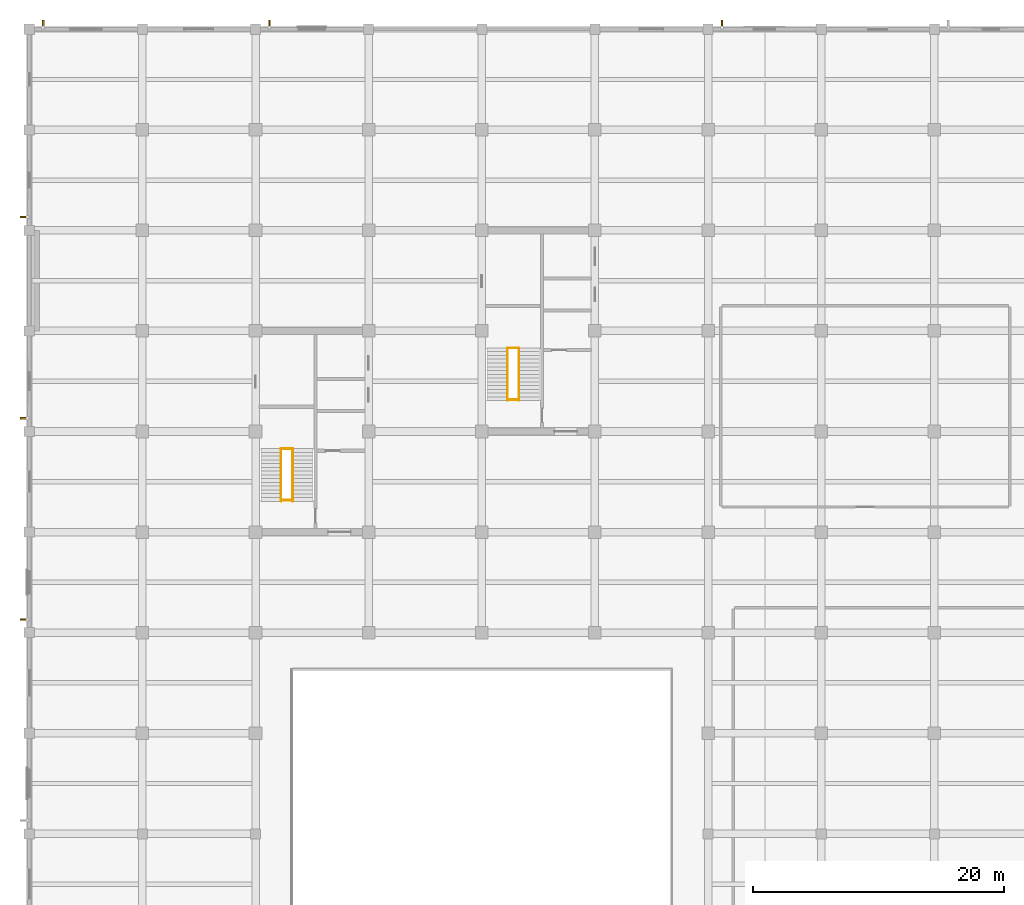
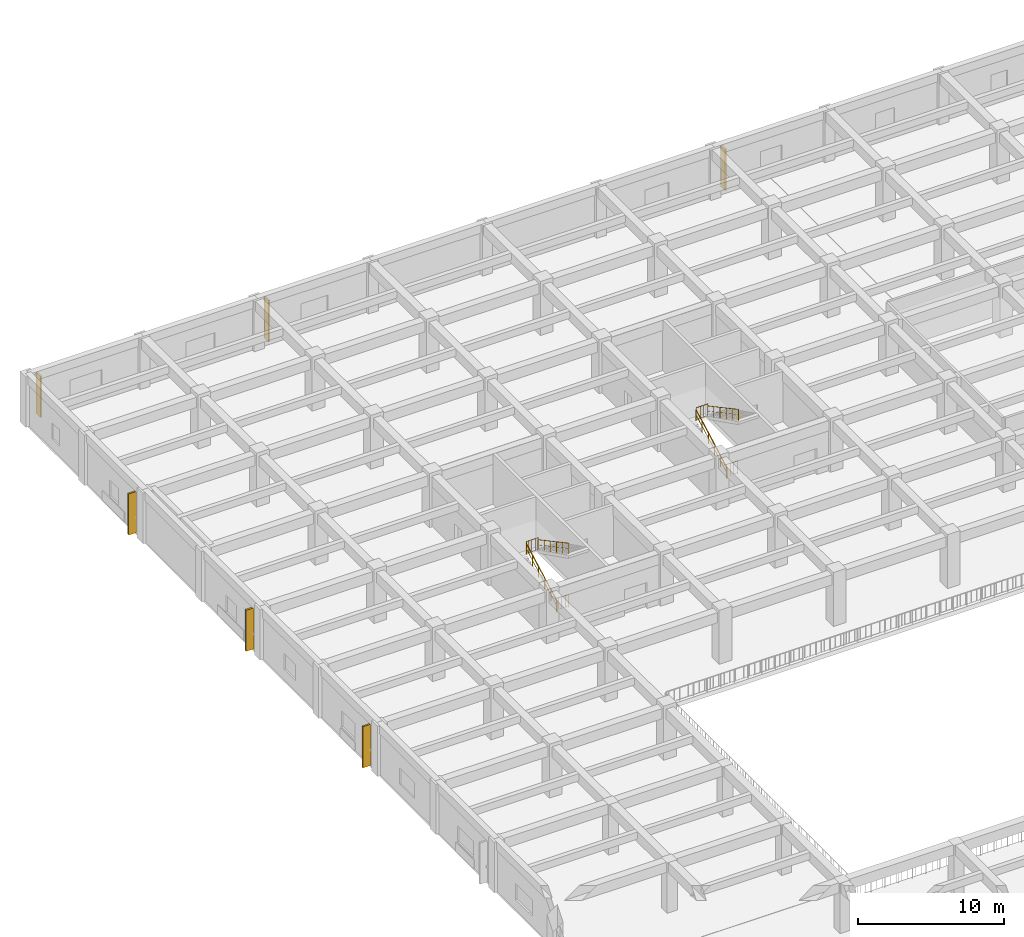
# One storey, part 29 of 32: 8 railings, 6 shading devices.
"""IFC4 building model written with IfcOpenShell, lengths in metres."""

from ifc_helpers import new_model, si_unit, direction, frame, frame_2d, origin, origin_2d, place, context, subcontext, project, spatial, rectangle, circle, extrude, material, layer, layer_set, type_object, element, save


model = new_model("IFC4")

# Units and contexts
model_context = context("Model", 3, precision=1e-05, world=origin(), true_north=direction((0.0, 1.0)))
body_context = subcontext(model_context, "Body", "Model", "MODEL_VIEW")
ifc_project = project(units=[si_unit("LENGTHUNIT", "METRE"), si_unit("AREAUNIT", "SQUARE_METRE"), si_unit("VOLUMEUNIT", "CUBIC_METRE"), si_unit("PLANEANGLEUNIT", "RADIAN"), si_unit("MASSUNIT", "GRAM", prefix="KILO")], contexts=[model_context])

# Site, building, storey
site_placement = place(None, origin())
site = spatial("IfcSite", under=ifc_project, at=site_placement, CompositionType="ELEMENT")
building_placement = place(site_placement, origin())
building = spatial("IfcBuilding", under=site, at=building_placement, Name="Zaverband Oceanarium and Marine Research Institute", CompositionType="ELEMENT")
storey_placement = place(building_placement, frame((0.0, 0.0, 13.5)))
storey = spatial("IfcBuildingStorey", under=building, at=storey_placement, Name="L03", CompositionType="ELEMENT", Elevation=13.5)

# Railings
ifc_material_1 = material(Name="Steel S355", Category="steel")
ifc_layer_1 = layer(ifc_material_1, 0.06005859375, Name="Steel S355")
ifc_layer_set_1 = layer_set([ifc_layer_1], Name="Steel S355")
railing_type_1 = type_object("IfcRailingType", Name="GRD-1100", PredefinedType="BALUSTRADE", material=ifc_layer_set_1)
for number, where, name in (
    (1, (20.0400390625, 86.6298828125, 2.25), "1100 mm steel post-and-baluster safety guard GRD-1100"),
    (2, (20.0400390625, 82.530029296875, 0.0), "1100 mm steel post-and-baluster safety guard GRD-1100"),
    (3, (38.0400390625, 94.6298828125, 2.25), "1100 mm steel post-and-baluster safety guard GRD-1100"),
    (4, (38.0400390625, 90.530029296875, 0.0), "1100 mm steel post-and-baluster safety guard GRD-1100"),
):
    element("IfcRailing", number, at=place(storey_placement, frame(where)), inside=storey, type_object=railing_type_1, Name=name, PredefinedType="BALUSTRADE", context=body_context, shape_type="SweptSolid", body=[
        extrude(circle(Radius=0.02392578125, at=origin_2d()), frame((0.0, 0.0, 1.076171875), z_axis=(1.0, 0.0, 0.0), x_axis=(0.0, 1.0, 0.0)), (0.0, 0.0, 1.0), 0.919921875),
        extrude(circle(Radius=0.009033203125, at=origin_2d()), frame((0.0, 0.0, 0.10009765625), z_axis=(1.0, 0.0, 0.0), x_axis=(0.0, 1.0, 0.0)), (0.0, 0.0, 1.0), 0.919921875),
        extrude(circle(Radius=0.009033203125, at=origin_2d()), frame((0.18408203125, 0.0, 0.10009765625)), (0.0, 0.0, 1.0), 0.951904296875),
        extrude(circle(Radius=0.009033203125, at=origin_2d()), frame((0.367919921875, 0.0, 0.10009765625)), (0.0, 0.0, 1.0), 0.951904296875),
        extrude(circle(Radius=0.009033203125, at=origin_2d()), frame((0.552001953125, 0.0, 0.10009765625)), (0.0, 0.0, 1.0), 0.951904296875),
        extrude(circle(Radius=0.009033203125, at=origin_2d()), frame((0.73583984375, 0.0, 0.10009765625)), (0.0, 0.0, 1.0), 0.951904296875),
        extrude(circle(Radius=0.02099609375, at=origin_2d()), origin(), (0.0, 0.0, 1.0), 1.052001953125),
        extrude(circle(Radius=0.02099609375, at=origin_2d()), frame((0.919921875, 0.0, 0.0)), (0.0, 0.0, 1.0), 1.052001953125),
    ])
ifc_layer_2 = layer(ifc_material_1, 0.050048828125, Name="Steel S355")
ifc_layer_set_2 = layer_set([ifc_layer_2], Name="Steel S355")
railing_type_2 = type_object("IfcRailingType", Name="HR-920", PredefinedType="HANDRAIL", material=ifc_layer_set_2)
railing_1_placement = place(storey_placement, frame((20.0400390625, 82.449951171875, 0.0)))
element("IfcRailing", 5, at=railing_1_placement, inside=storey, type_object=railing_type_2, Name="920 mm continuous tubular stair and ramp handrail HR-920", PredefinedType="HANDRAIL", context=body_context, shape_type="SweptSolid", body=[
    extrude(circle(Radius=0.02392578125, at=origin_2d()), frame((0.0, 0.0, 0.89599609375), z_axis=(0.0, 0.881477684796, 0.472225678258), x_axis=(-1.0, 0.0, 0.0)), (0.0, 0.0, 1.0), 4.7646484375),
    extrude(circle(Radius=0.009033203125, at=origin_2d()), frame((0.0, 0.0, 0.4599609375), z_axis=(0.0, 0.881477684796, 0.472225678258), x_axis=(-1.0, 0.0, 0.0)), (0.0, 0.0, 1.0), 4.7646484375),
    extrude(circle(Radius=0.02099609375, at=origin_2d()), origin(), (0.0, 0.0, 1.0), 0.871826171875),
    extrude(circle(Radius=0.02099609375, at=origin_2d()), frame((0.0, 0.840087890625, 0.449951171875)), (0.0, 0.0, 1.0), 0.871826171875),
    extrude(circle(Radius=0.02099609375, at=origin_2d()), frame((0.0, 1.679931640625, 0.89990234375)), (0.0, 0.0, 1.0), 0.871826171875),
    extrude(circle(Radius=0.02099609375, at=origin_2d()), frame((0.0, 2.52001953125, 1.35009765625)), (0.0, 0.0, 1.0), 0.871826171875),
    extrude(circle(Radius=0.02099609375, at=origin_2d()), frame((0.0, 3.35986328125, 1.800048828125)), (0.0, 0.0, 1.0), 0.871826171875),
    extrude(circle(Radius=0.02099609375, at=origin_2d()), frame((0.0, 4.199951171875, 2.25)), (0.0, 0.0, 1.0), 0.871826171875),
])
railing_2_placement = place(storey_placement, frame((20.9599609375, 86.64990234375, 2.25)))
element("IfcRailing", 6, at=railing_2_placement, inside=storey, type_object=railing_type_2, Name="920 mm continuous tubular stair and ramp handrail HR-920", PredefinedType="HANDRAIL", context=body_context, shape_type="SweptSolid", body=[
    extrude(circle(Radius=0.02392578125, at=origin_2d()), frame((0.0, 0.0, 0.89599609375), z_axis=(0.0, -0.881477684796, 0.472225678258), x_axis=(1.0, 0.0, 0.0)), (0.0, 0.0, 1.0), 4.7646484375),
    extrude(circle(Radius=0.009033203125, at=origin_2d()), frame((0.0, 0.0, 0.4599609375), z_axis=(0.0, -0.881477684796, 0.472225678258), x_axis=(1.0, 0.0, 0.0)), (0.0, 0.0, 1.0), 4.7646484375),
    extrude(circle(Radius=0.02099609375, at=origin_2d()), origin(), (0.0, 0.0, 1.0), 0.871826171875),
    extrude(circle(Radius=0.02099609375, at=origin_2d()), frame((0.0, -0.840087890625, 0.449951171875)), (0.0, 0.0, 1.0), 0.871826171875),
    extrude(circle(Radius=0.02099609375, at=origin_2d()), frame((0.0, -1.679931640625, 0.89990234375)), (0.0, 0.0, 1.0), 0.871826171875),
    extrude(circle(Radius=0.02099609375, at=origin_2d()), frame((0.0, -2.52001953125, 1.35009765625)), (0.0, 0.0, 1.0), 0.871826171875),
    extrude(circle(Radius=0.02099609375, at=origin_2d()), frame((0.0, -3.35986328125, 1.800048828125)), (0.0, 0.0, 1.0), 0.871826171875),
    extrude(circle(Radius=0.02099609375, at=origin_2d()), frame((0.0, -4.199951171875, 2.25)), (0.0, 0.0, 1.0), 0.871826171875),
])
railing_3_placement = place(storey_placement, frame((38.0400390625, 90.449951171875, 0.0)))
element("IfcRailing", 7, at=railing_3_placement, inside=storey, type_object=railing_type_2, Name="920 mm continuous tubular stair and ramp handrail HR-920", PredefinedType="HANDRAIL", context=body_context, shape_type="SweptSolid", body=[
    extrude(circle(Radius=0.02392578125, at=origin_2d()), frame((0.0, 0.0, 0.89599609375), z_axis=(0.0, 0.881477684796, 0.472225678258), x_axis=(-1.0, 0.0, 0.0)), (0.0, 0.0, 1.0), 4.7646484375),
    extrude(circle(Radius=0.009033203125, at=origin_2d()), frame((0.0, 0.0, 0.4599609375), z_axis=(0.0, 0.881477684796, 0.472225678258), x_axis=(-1.0, 0.0, 0.0)), (0.0, 0.0, 1.0), 4.7646484375),
    extrude(circle(Radius=0.02099609375, at=origin_2d()), origin(), (0.0, 0.0, 1.0), 0.871826171875),
    extrude(circle(Radius=0.02099609375, at=origin_2d()), frame((0.0, 0.840087890625, 0.449951171875)), (0.0, 0.0, 1.0), 0.871826171875),
    extrude(circle(Radius=0.02099609375, at=origin_2d()), frame((0.0, 1.679931640625, 0.89990234375)), (0.0, 0.0, 1.0), 0.871826171875),
    extrude(circle(Radius=0.02099609375, at=origin_2d()), frame((0.0, 2.52001953125, 1.35009765625)), (0.0, 0.0, 1.0), 0.871826171875),
    extrude(circle(Radius=0.02099609375, at=origin_2d()), frame((0.0, 3.35986328125, 1.800048828125)), (0.0, 0.0, 1.0), 0.871826171875),
    extrude(circle(Radius=0.02099609375, at=origin_2d()), frame((0.0, 4.199951171875, 2.25)), (0.0, 0.0, 1.0), 0.871826171875),
])
railing_4_placement = place(storey_placement, frame((38.9599609375, 94.64990234375, 2.25)))
element("IfcRailing", 8, at=railing_4_placement, inside=storey, type_object=railing_type_2, Name="920 mm continuous tubular stair and ramp handrail HR-920", PredefinedType="HANDRAIL", context=body_context, shape_type="SweptSolid", body=[
    extrude(circle(Radius=0.02392578125, at=origin_2d()), frame((0.0, 0.0, 0.89599609375), z_axis=(0.0, -0.881477684796, 0.472225678258), x_axis=(1.0, 0.0, 0.0)), (0.0, 0.0, 1.0), 4.7646484375),
    extrude(circle(Radius=0.009033203125, at=origin_2d()), frame((0.0, 0.0, 0.4599609375), z_axis=(0.0, -0.881477684796, 0.472225678258), x_axis=(1.0, 0.0, 0.0)), (0.0, 0.0, 1.0), 4.7646484375),
    extrude(circle(Radius=0.02099609375, at=origin_2d()), origin(), (0.0, 0.0, 1.0), 0.871826171875),
    extrude(circle(Radius=0.02099609375, at=origin_2d()), frame((0.0, -0.840087890625, 0.449951171875)), (0.0, 0.0, 1.0), 0.871826171875),
    extrude(circle(Radius=0.02099609375, at=origin_2d()), frame((0.0, -1.679931640625, 0.89990234375)), (0.0, 0.0, 1.0), 0.871826171875),
    extrude(circle(Radius=0.02099609375, at=origin_2d()), frame((0.0, -2.52001953125, 1.35009765625)), (0.0, 0.0, 1.0), 0.871826171875),
    extrude(circle(Radius=0.02099609375, at=origin_2d()), frame((0.0, -3.35986328125, 1.800048828125)), (0.0, 0.0, 1.0), 0.871826171875),
    extrude(circle(Radius=0.02099609375, at=origin_2d()), frame((0.0, -4.199951171875, 2.25)), (0.0, 0.0, 1.0), 0.871826171875),
])

# Shading devices
ifc_material_2 = material(Name="Concrete C40/50 precast brise-soleil", Category="concrete")
ifc_layer_3 = layer(ifc_material_2, 0.139892578125, Name="Concrete C40/50 precast brise-soleil")
ifc_layer_set_3 = layer_set([ifc_layer_3], Name="Concrete C40/50 precast brise-soleil")
shading_device_type = type_object("IfcShadingDeviceType", Name="SHD-FIN-600", PredefinedType="JALOUSIE", material=ifc_layer_set_3)
shading_device_1_placement = place(storey_placement, frame((1.10498046875, 120.112548828125, 0.0), z_axis=(0.0, 0.0, 1.0), x_axis=(0.0, 1.0, 0.0)))
element("IfcShadingDevice", 9, at=shading_device_1_placement, inside=storey, type_object=shading_device_type, Name="600 mm vertical precast brise-soleil fin SHD-FIN-600", PredefinedType="JALOUSIE", context=body_context, shape_type="SweptSolid", body=[
    extrude(rectangle(XDim=0.599853515625, YDim=0.139892578125, at=frame_2d((0.2998046875, 0.0))), origin(), (0.0, 0.0, 1.0), 3.429931640625),
])
for number, where, z_axis, x_axis, name in (
    (10, (19.10498046875, 120.135009765625, 0.0), (0.0, 0.0, 1.0), (0.0, 1.0, 0.0), "600 mm vertical precast brise-soleil fin SHD-FIN-600"),
    (11, (55.10498046875, 120.135009765625, 0.0), (0.0, 0.0, 1.0), (0.0, 1.0, 0.0), "600 mm vertical precast brise-soleil fin SHD-FIN-600"),
    (12, (-0.135009765625, 73.054931640625, 0.0), (0.0, 0.0, 1.0), (-1.0, 0.0, 0.0), "600 mm vertical precast brise-soleil fin SHD-FIN-600"),
):
    element("IfcShadingDevice", number, at=place(storey_placement, frame(where, z_axis=z_axis, x_axis=x_axis)), inside=storey, type_object=shading_device_type, Name=name, PredefinedType="JALOUSIE", context=body_context, shape_type="SweptSolid", body=[
        extrude(rectangle(XDim=0.60009765625, YDim=0.139892578125, at=frame_2d((0.300048828125, 0.0))), origin(), (0.0, 0.0, 1.0), 3.429931640625),
    ])
shading_device_2_placement = place(storey_placement, frame((-0.112548828125, 89.054931640625, 0.0), z_axis=(0.0, 0.0, 1.0), x_axis=(-1.0, 0.0, 0.0)))
element("IfcShadingDevice", 13, at=shading_device_2_placement, inside=storey, type_object=shading_device_type, Name="600 mm vertical precast brise-soleil fin SHD-FIN-600", PredefinedType="JALOUSIE", context=body_context, shape_type="SweptSolid", body=[
    extrude(rectangle(XDim=0.599853515625, YDim=0.139892578125, at=frame_2d((0.2998046875, 0.0))), origin(), (0.0, 0.0, 1.0), 3.429931640625),
])
shading_device_3_placement = place(storey_placement, frame((-0.125, 105.054931640625, 0.0), z_axis=(0.0, 0.0, 1.0), x_axis=(-1.0, 0.0, 0.0)))
element("IfcShadingDevice", 14, at=shading_device_3_placement, inside=storey, type_object=shading_device_type, Name="600 mm vertical precast brise-soleil fin SHD-FIN-600", PredefinedType="JALOUSIE", context=body_context, shape_type="SweptSolid", body=[
    extrude(rectangle(XDim=0.60009765625, YDim=0.139892578125, at=frame_2d((0.300048828125, 0.0))), origin(), (0.0, 0.0, 1.0), 3.429931640625),
])

save(model, "model.ifc")
